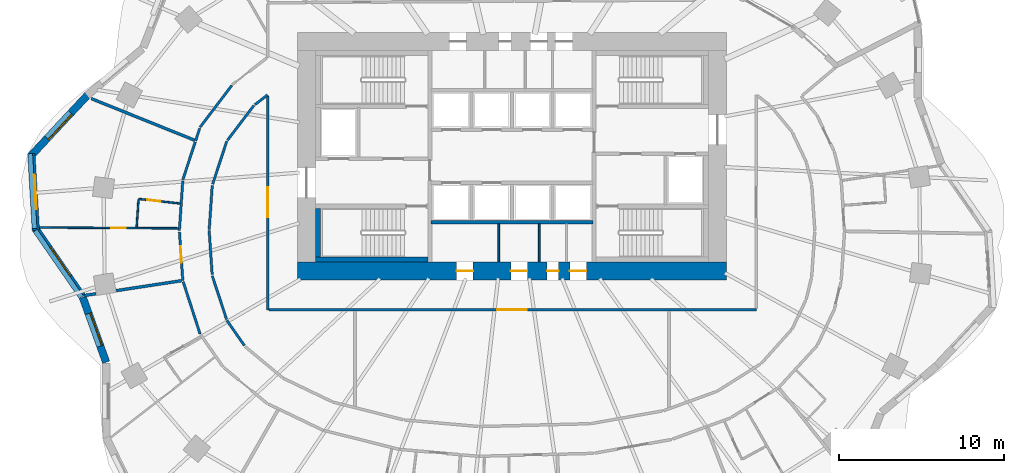
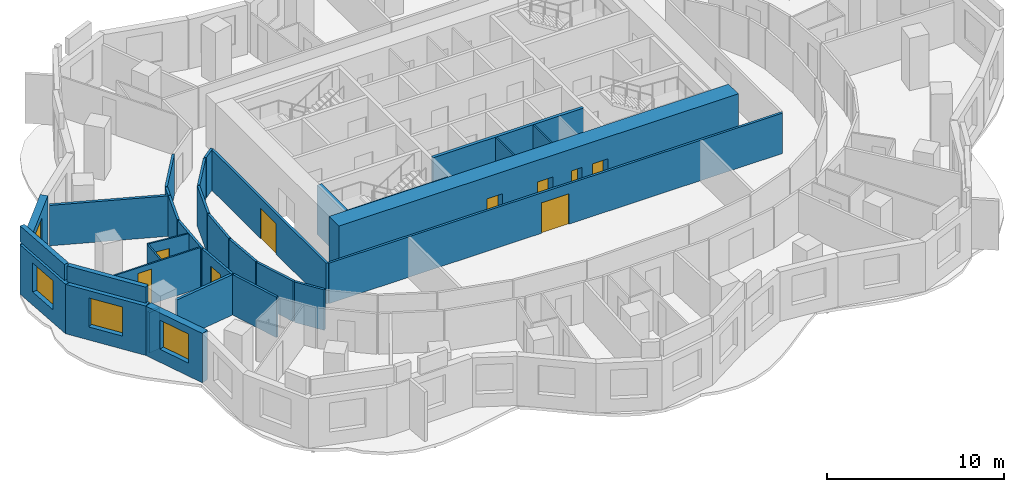
# One storey, part 6 of 14: 33 walls, 9 doors, 4 windows, 13 openings.
"""IFC4 building model written with IfcOpenShell, lengths in metres."""

from ifc_helpers import new_model, si_unit, direction, frame, frame_2d, origin, place, context, subcontext, project, spatial, rectangle, extrude, material, layer, layer_set, type_object, element, fill, save


model = new_model("IFC4")

# Units and contexts
model_context = context("Model", 3, precision=1e-05, world=origin(), true_north=direction((0.0, 1.0)))
body_context = subcontext(model_context, "Body", "Model", "MODEL_VIEW")
ifc_project = project(units=[si_unit("LENGTHUNIT", "METRE"), si_unit("AREAUNIT", "SQUARE_METRE"), si_unit("VOLUMEUNIT", "CUBIC_METRE"), si_unit("PLANEANGLEUNIT", "RADIAN"), si_unit("MASSUNIT", "GRAM", prefix="KILO")], contexts=[model_context])

# Site, building, storey
site_placement = place(None, origin())
site = spatial("IfcSite", under=ifc_project, at=site_placement, CompositionType="ELEMENT")
building_placement = place(site_placement, origin())
building = spatial("IfcBuilding", under=site, at=building_placement, Name="Rubra Terraces Tower", CompositionType="ELEMENT")
storey_placement = place(building_placement, frame((0.0, 0.0, 103.199951171875)))
storey = spatial("IfcBuildingStorey", under=building, at=storey_placement, Name="L24", CompositionType="ELEMENT", Elevation=103.199951171875)

# Walls
ifc_material_1 = material(Name="Twin plasterboard on staggered steel stud, acoustic mineral wool", Category="steel")
ifc_layer_1 = layer(ifc_material_1, 0.175048828125)
ifc_layer_set_1 = layer_set([ifc_layer_1], Name="Twin plasterboard on staggered steel stud, acoustic mineral wool")
wall_type_1 = type_object("IfcWallType", Name="ACOUSTIC PARTY WALL 175", PredefinedType="PARTITIONING", material=ifc_layer_set_1)
wall_1_placement = place(storey_placement, frame((-25.48583984375, 7.994873046875, 0.0), z_axis=(0.0, 0.0, 1.0), x_axis=(0.927461928154, -0.373917600314, 0.0)))
element("IfcWall", 1, at=wall_1_placement, inside=storey, type_object=wall_type_1, Name="PARTITION", PredefinedType="PARTITIONING", context=body_context, shape_type="SweptSolid", body=[
    extrude(rectangle(XDim=6.74267578125, YDim=0.175048828125, at=frame_2d((3.371337890625, 0.0))), origin(), (0.0, 0.0, 1.0), 2.783935546875),
])
wall_2_placement = place(storey_placement, frame((-25.919921875, -3.934814453125, 0.0), z_axis=(0.0, 0.0, 1.0), x_axis=(0.988623188828, 0.150413398709, 0.0)))
element("IfcWall", 2, at=wall_2_placement, inside=storey, type_object=wall_type_1, Name="PARTITION", PredefinedType="PARTITIONING", context=body_context, shape_type="SweptSolid", body=[
    extrude(rectangle(XDim=0.7255859375, YDim=0.175048828125, at=frame_2d((0.36279296875, 0.0))), origin(), (0.0, 0.0, 1.0), 2.783935546875),
])
wall_3_placement = place(storey_placement, frame((-23.976806640625, -3.638916015625, 0.0), z_axis=(0.0, 0.0, 1.0), x_axis=(0.988617655188, 0.150449765203, 0.0)))
element("IfcWall", 3, at=wall_3_placement, inside=storey, type_object=wall_type_1, Name="PARTITION", PredefinedType="PARTITIONING", context=body_context, shape_type="SweptSolid", body=[
    extrude(rectangle(XDim=4.006591796875, YDim=0.175048828125, at=frame_2d((2.00341796875, 0.0))), origin(), (0.0, 0.0, 1.0), 2.783935546875),
])

# Wall, opening, window
ifc_material_2 = material(Name="Brick masonry red-brown", Category="masonry")
ifc_layer_2 = layer(ifc_material_2, 0.449951171875)
ifc_layer_set_2 = layer_set([ifc_layer_2], Name="Brick masonry red-brown")
wall_type_2 = type_object("IfcWallType", Name="Brick facade wall 450", PredefinedType="SOLIDWALL", material=ifc_layer_set_2)
wall_4_placement = place(storey_placement, frame((-25.716796875, 8.20068359375, 0.0), z_axis=(0.0, 0.0, 1.0), x_axis=(-0.681990073025, -0.731361429319, 0.0)))
wall_4 = element("IfcWall", 4, at=wall_4_placement, inside=storey, type_object=wall_type_2, Name="Facade wall L24 bay 19", PredefinedType="SOLIDWALL", context=body_context, shape_type="SweptSolid", body=[
    extrude(rectangle(XDim=5.063720703125, YDim=0.449951171875, at=frame_2d((2.53173828125, 0.0))), origin(), (0.0, 0.0, 1.0), 3.400146484375),
])
opening_1_placement = place(wall_4_placement, frame((1.481689453125, 0.0, 0.89990234375)))
opening_1 = element("IfcOpeningElement", 5, at=opening_1_placement, cuts=wall_4, Name="Opening W1", PredefinedType="OPENING", context=body_context, shape_type="SweptSolid", body=[
    extrude(rectangle(XDim=2.10009765625, YDim=2.0, at=frame_2d((1.050048828125, 1.0))), frame((0.0, 0.23486328125, 0.0), z_axis=(0.0, -1.0, 0.0), x_axis=(1.0, 0.0, 0.0)), (0.0, 0.0, 1.0), 0.469970703125),
])
ifc_material_3 = material(Name="Clear glass in aluminium frame", Category="aluminium")
window_type = type_object("IfcWindowType", Name="Fixed deep-set window 2100 x 2000", PartitioningType="SINGLE_PANEL", PredefinedType="WINDOW", material=ifc_material_3)
window_1_placement = place(opening_1_placement, origin())
window_1 = element("IfcWindow", 6, at=window_1_placement, inside=storey, type_object=window_type, Name="Window L24 bay 19", OverallHeight=2.0, OverallWidth=2.10009765625, PartitioningType="SINGLE_PANEL", PredefinedType="WINDOW", context=body_context, shape_type="SweptSolid", body=[
    extrude(rectangle(XDim=2.10009765625, YDim=2.0, at=frame_2d((1.050048828125, 1.0))), frame((0.0, 0.135009765625, 0.0), z_axis=(0.0, -1.0, 0.0), x_axis=(1.0, 0.0, 0.0)), (0.0, 0.0, 1.0), 0.06005859375),
])
fill(opening_1, window_1)

wall_5_placement = place(storey_placement, frame((-29.11328125, 4.66015625, 0.0), z_axis=(0.0, 0.0, 1.0), x_axis=(0.058217785859, -0.998303906338, 0.0)))
wall_5 = element("IfcWall", 7, at=wall_5_placement, inside=storey, type_object=wall_type_2, Name="Facade wall L24 bay 20", PredefinedType="SOLIDWALL", context=body_context, shape_type="SweptSolid", body=[
    extrude(rectangle(XDim=4.65478515625, YDim=0.449951171875, at=frame_2d((2.327392578125, 0.0))), origin(), (0.0, 0.0, 1.0), 3.400146484375),
])
opening_2_placement = place(wall_5_placement, frame((1.27734375, 0.0, 0.89990234375)))
opening_2 = element("IfcOpeningElement", 8, at=opening_2_placement, cuts=wall_5, Name="Opening W1", PredefinedType="OPENING", context=body_context, shape_type="SweptSolid", body=[
    extrude(rectangle(XDim=2.10009765625, YDim=2.0, at=frame_2d((1.050048828125, 1.0))), frame((0.0, 0.23486328125, 0.0), z_axis=(0.0, -1.0, 0.0), x_axis=(1.0, 0.0, 0.0)), (0.0, 0.0, 1.0), 0.469970703125),
])
window_2_placement = place(opening_2_placement, origin())
window_2 = element("IfcWindow", 9, at=window_2_placement, inside=storey, type_object=window_type, Name="Window L24 bay 20", OverallHeight=2.0, OverallWidth=2.10009765625, PartitioningType="SINGLE_PANEL", PredefinedType="WINDOW", context=body_context, shape_type="SweptSolid", body=[
    extrude(rectangle(XDim=2.10009765625, YDim=2.0, at=frame_2d((1.050048828125, 1.0))), frame((0.0, 0.135009765625, 0.0), z_axis=(0.0, -1.0, 0.0), x_axis=(1.0, 0.0, 0.0)), (0.0, 0.0, 1.0), 0.06005859375),
])
fill(opening_2, window_2)

wall_6_placement = place(storey_placement, frame((-28.87841796875, 0.122802734375, 0.0), z_axis=(0.0, 0.0, 1.0), x_axis=(0.569394732999, -0.8220642542, 0.0)))
wall_6 = element("IfcWall", 10, at=wall_6_placement, inside=storey, type_object=wall_type_2, Name="Facade wall L24 bay 21", PredefinedType="SOLIDWALL", context=body_context, shape_type="SweptSolid", body=[
    extrude(rectangle(XDim=5.015869140625, YDim=0.449951171875, at=frame_2d((2.5078125, 0.0))), origin(), (0.0, 0.0, 1.0), 3.400146484375),
])
opening_3_placement = place(wall_6_placement, frame((1.4580078125, 0.0, 0.89990234375)))
opening_3 = element("IfcOpeningElement", 11, at=opening_3_placement, cuts=wall_6, Name="Opening W1", PredefinedType="OPENING", context=body_context, shape_type="SweptSolid", body=[
    extrude(rectangle(XDim=2.10009765625, YDim=2.0, at=frame_2d((1.050048828125, 1.0))), frame((0.0, 0.23486328125, 0.0), z_axis=(0.0, -1.0, 0.0), x_axis=(1.0, 0.0, 0.0)), (0.0, 0.0, 1.0), 0.469970703125),
])
window_3_placement = place(opening_3_placement, origin())
window_3 = element("IfcWindow", 12, at=window_3_placement, inside=storey, type_object=window_type, Name="Window L24 bay 21", OverallHeight=2.0, OverallWidth=2.10009765625, PartitioningType="SINGLE_PANEL", PredefinedType="WINDOW", context=body_context, shape_type="SweptSolid", body=[
    extrude(rectangle(XDim=2.10009765625, YDim=2.0, at=frame_2d((1.050048828125, 1.0))), frame((0.0, 0.135009765625, 0.0), z_axis=(0.0, -1.0, 0.0), x_axis=(1.0, 0.0, 0.0)), (0.0, 0.0, 1.0), 0.06005859375),
])
fill(opening_3, window_3)

wall_7_placement = place(storey_placement, frame((-25.99951171875, -4.047119140625, 0.0), z_axis=(0.0, 0.0, 1.0), x_axis=(0.338924456066, -0.940813591037, 0.0)))
wall_7 = element("IfcWall", 13, at=wall_7_placement, inside=storey, type_object=wall_type_2, Name="Facade wall L24 bay 22", PredefinedType="SOLIDWALL", context=body_context, shape_type="SweptSolid", body=[
    extrude(rectangle(XDim=4.175048828125, YDim=0.449951171875, at=frame_2d((2.08740234375, 0.0))), origin(), (0.0, 0.0, 1.0), 3.400146484375),
])
opening_4_placement = place(wall_7_placement, frame((1.03759765625, 0.0, 0.89990234375)))
opening_4 = element("IfcOpeningElement", 14, at=opening_4_placement, cuts=wall_7, Name="Opening W1", PredefinedType="OPENING", context=body_context, shape_type="SweptSolid", body=[
    extrude(rectangle(XDim=2.10009765625, YDim=2.0, at=frame_2d((1.050048828125, 1.0))), frame((0.0, 0.23486328125, 0.0), z_axis=(0.0, -1.0, 0.0), x_axis=(1.0, 0.0, 0.0)), (0.0, 0.0, 1.0), 0.469970703125),
])
window_4_placement = place(opening_4_placement, origin())
window_4 = element("IfcWindow", 15, at=window_4_placement, inside=storey, type_object=window_type, Name="Window L24 bay 22", OverallHeight=2.0, OverallWidth=2.10009765625, PartitioningType="SINGLE_PANEL", PredefinedType="WINDOW", context=body_context, shape_type="SweptSolid", body=[
    extrude(rectangle(XDim=2.10009765625, YDim=2.0, at=frame_2d((1.050048828125, 1.0))), frame((0.0, 0.135009765625, 0.0), z_axis=(0.0, -1.0, 0.0), x_axis=(1.0, 0.0, 0.0)), (0.0, 0.0, 1.0), 0.06005859375),
])
fill(opening_4, window_4)

# Walls
ifc_layer_3 = layer(ifc_material_2, 0.300048828125)
ifc_layer_set_3 = layer_set([ifc_layer_3], Name="Brick masonry red-brown")
wall_type_3 = type_object("IfcWallType", Name="Brick parapet 300", PredefinedType="PARAPET", material=ifc_layer_set_3)
wall_8_placement = place(storey_placement, frame((-29.188232421875, 4.65576171875, 3.60009765625), z_axis=(0.0, 0.0, 1.0), x_axis=(0.058230319325, -0.998303175349, 0.0)))
element("IfcWall", 16, at=wall_8_placement, inside=storey, type_object=wall_type_3, Name="Parapet L24 bay 20", PredefinedType="PARAPET", context=body_context, shape_type="SweptSolid", body=[
    extrude(rectangle(XDim=4.540771484375, YDim=0.300048828125, at=frame_2d((2.2705078125, 0.0))), origin(), (0.0, 0.0, 1.0), 1.099853515625),
])
wall_9_placement = place(storey_placement, frame((-28.878662109375, -0.008544921875, 3.60009765625), z_axis=(0.0, 0.0, 1.0), x_axis=(0.569370412902, -0.822081098744, 0.0)))
element("IfcWall", 17, at=wall_9_placement, inside=storey, type_object=wall_type_3, Name="Parapet L24 bay 21", PredefinedType="PARAPET", context=body_context, shape_type="SweptSolid", body=[
    extrude(rectangle(XDim=4.90576171875, YDim=0.300048828125, at=frame_2d((2.452880859375, 0.0))), origin(), (0.0, 0.0, 1.0), 1.099853515625),
])

# Wall, openings, doors
ifc_material_4 = material(Name="Concrete C60", Category="concrete")
ifc_layer_4 = layer(ifc_material_4, 1.10009765625)
ifc_layer_set_4 = layer_set([ifc_layer_4], Name="Concrete C60")
wall_type_4 = type_object("IfcWallType", Name="CORE WALL 1100 C60", PredefinedType="SHEAR", material=ifc_layer_set_4)
wall_10_placement = place(storey_placement, frame((-13.0, -2.449951171875, 0.0), z_axis=(0.0, 0.0, 1.0), x_axis=(1.0, 0.0, 0.0)))
wall_10 = element("IfcWall", 18, at=wall_10_placement, inside=storey, type_object=wall_type_4, Name="CORE WALL S L24", PredefinedType="SHEAR", context=body_context, shape_type="SweptSolid", body=[
    extrude(rectangle(XDim=26.0, YDim=1.10009765625, at=frame_2d((13.0, 0.0))), origin(), (0.0, 0.0, 1.0), 3.60009765625),
])
opening_5_placement = place(wall_10_placement, frame((9.64990234375, 0.0, 0.0)))
opening_5 = element("IfcOpeningElement", 19, at=opening_5_placement, cuts=wall_10, Name="Opening L24.C19", PredefinedType="OPENING", context=body_context, shape_type="SweptSolid", body=[
    extrude(rectangle(XDim=1.0, YDim=2.10009765625, at=frame_2d((0.5, 1.050048828125))), frame((0.0, 0.56005859375, 0.0), z_axis=(0.0, -1.0, 0.0), x_axis=(1.0, 0.0, 0.0)), (0.0, 0.0, 1.0), 1.1201171875),
])
opening_6_placement = place(wall_10_placement, frame((12.925048828125, 0.0, 0.0)))
opening_6 = element("IfcOpeningElement", 20, at=opening_6_placement, cuts=wall_10, Name="Opening L24.C20", PredefinedType="OPENING", context=body_context, shape_type="SweptSolid", body=[
    extrude(rectangle(XDim=1.0, YDim=2.10009765625, at=frame_2d((0.5, 1.050048828125))), frame((0.0, 0.56005859375, 0.0), z_axis=(0.0, -1.0, 0.0), x_axis=(1.0, 0.0, 0.0)), (0.0, 0.0, 1.0), 1.1201171875),
])
opening_7_placement = place(wall_10_placement, frame((15.125, 0.0, 0.0)))
opening_7 = element("IfcOpeningElement", 21, at=opening_7_placement, cuts=wall_10, Name="Opening L24.C21", PredefinedType="OPENING", context=body_context, shape_type="SweptSolid", body=[
    extrude(rectangle(XDim=0.699951171875, YDim=2.10009765625, at=frame_2d((0.35009765625, 1.050048828125))), frame((0.0, 0.56005859375, 0.0), z_axis=(0.0, -1.0, 0.0), x_axis=(1.0, 0.0, 0.0)), (0.0, 0.0, 1.0), 1.1201171875),
])
opening_8_placement = place(wall_10_placement, frame((16.5, 0.0, 0.0)))
opening_8 = element("IfcOpeningElement", 22, at=opening_8_placement, cuts=wall_10, Name="Opening L24.C22", PredefinedType="OPENING", context=body_context, shape_type="SweptSolid", body=[
    extrude(rectangle(XDim=1.0, YDim=2.10009765625, at=frame_2d((0.5, 1.050048828125))), frame((0.0, 0.56005859375, 0.0), z_axis=(0.0, -1.0, 0.0), x_axis=(1.0, 0.0, 0.0)), (0.0, 0.0, 1.0), 1.1201171875),
])
ifc_material_5 = material(Name="Painted steel", Category="steel")
door_type_1 = type_object("IfcDoorType", Name="Fire door 1000x2100 single", OperationType="NOTDEFINED", PredefinedType="DOOR", material=ifc_material_5)
door_1_placement = place(opening_5_placement, origin())
door_1 = element("IfcDoor", 23, at=door_1_placement, inside=storey, type_object=door_type_1, Name="Linen store door", OperationType="SINGLE_SWING_LEFT", OverallHeight=2.10009765625, OverallWidth=1.0, PredefinedType="DOOR", context=body_context, shape_type="SweptSolid", body=[
    extrude(rectangle(XDim=1.0, YDim=2.10009765625, at=frame_2d((0.5, 1.050048828125))), frame((0.0, 0.02490234375, 0.0), z_axis=(0.0, -1.0, 0.0), x_axis=(1.0, 0.0, 0.0)), (0.0, 0.0, 1.0), 0.050048828125),
])
fill(opening_5, door_1)
door_2_placement = place(opening_6_placement, origin())
door_2 = element("IfcDoor", 24, at=door_2_placement, inside=storey, type_object=door_type_1, Name="Guest pantry door", OperationType="SINGLE_SWING_RIGHT", OverallHeight=2.10009765625, OverallWidth=1.0, PredefinedType="DOOR", context=body_context, shape_type="SweptSolid", body=[
    extrude(rectangle(XDim=1.0, YDim=2.10009765625, at=frame_2d((0.5, 1.050048828125))), frame((0.0, 0.02490234375, 0.0), z_axis=(0.0, -1.0, 0.0), x_axis=(1.0, 0.0, 0.0)), (0.0, 0.0, 1.0), 0.050048828125),
])
fill(opening_6, door_2)
door_3_placement = place(opening_8_placement, origin())
door_3 = element("IfcDoor", 25, at=door_3_placement, inside=storey, type_object=door_type_1, Name="Refuse room door", OperationType="SINGLE_SWING_RIGHT", OverallHeight=2.10009765625, OverallWidth=1.0, PredefinedType="DOOR", context=body_context, shape_type="SweptSolid", body=[
    extrude(rectangle(XDim=1.0, YDim=2.10009765625, at=frame_2d((0.5, 1.050048828125))), frame((0.0, 0.02490234375, 0.0), z_axis=(0.0, -1.0, 0.0), x_axis=(1.0, 0.0, 0.0)), (0.0, 0.0, 1.0), 0.050048828125),
])
fill(opening_8, door_3)
door_type_2 = type_object("IfcDoorType", Name="Riser access door 700x2100 single", OperationType="NOTDEFINED", PredefinedType="DOOR", material=ifc_material_5)
door_4_placement = place(opening_7_placement, origin())
door_4 = element("IfcDoor", 26, at=door_4_placement, inside=storey, type_object=door_type_2, Name="Telecoms room door", OperationType="SINGLE_SWING_LEFT", OverallHeight=2.10009765625, OverallWidth=0.699951171875, PredefinedType="DOOR", context=body_context, shape_type="SweptSolid", body=[
    extrude(rectangle(XDim=0.699951171875, YDim=2.10009765625, at=frame_2d((0.35009765625, 1.050048828125))), frame((0.0, 0.02490234375, 0.0), z_axis=(0.0, -1.0, 0.0), x_axis=(1.0, 0.0, 0.0)), (0.0, 0.0, 1.0), 0.050048828125),
])
fill(opening_7, door_4)

# Walls
ifc_material_6 = material(Name="Plasterboard on steel stud, mineral wool infill", Category="steel")
ifc_layer_5 = layer(ifc_material_6, 0.14990234375)
ifc_layer_set_5 = layer_set([ifc_layer_5], Name="Plasterboard on steel stud, mineral wool infill")
wall_type_5 = type_object("IfcWallType", Name="CORRIDOR PARTITION 150", PredefinedType="PARTITIONING", material=ifc_layer_set_5)
wall_11_placement = place(storey_placement, frame((-16.966796875, 8.799560546875, 0.0), z_axis=(0.0, 0.0, 1.0), x_axis=(-0.604991921991, -0.796231608469, 0.0)))
element("IfcWall", 27, at=wall_11_placement, inside=storey, type_object=wall_type_5, Name="PARTITION", PredefinedType="PARTITIONING", context=body_context, shape_type="SweptSolid", body=[
    extrude(rectangle(XDim=3.18505859375, YDim=0.14990234375, at=frame_2d((1.592529296875, 0.0))), origin(), (0.0, 0.0, 1.0), 2.783935546875),
])
wall_12_placement = place(storey_placement, frame((-18.917236328125, 6.192138671875, 0.0), z_axis=(0.0, 0.0, 1.0), x_axis=(-0.312217378101, -0.950010688788, 0.0)))
element("IfcWall", 28, at=wall_12_placement, inside=storey, type_object=wall_type_5, Name="PARTITION", PredefinedType="PARTITIONING", context=body_context, shape_type="SweptSolid", body=[
    extrude(rectangle(XDim=0.785888671875, YDim=0.14990234375, at=frame_2d((0.39306640625, 0.0))), origin(), (0.0, 0.0, 1.0), 2.783935546875),
])
wall_13_placement = place(storey_placement, frame((-19.185791015625, 5.374267578125, 0.0), z_axis=(0.0, 0.0, 1.0), x_axis=(-0.312120623237, -0.950042481445, 0.0)))
element("IfcWall", 29, at=wall_13_placement, inside=storey, type_object=wall_type_5, Name="PARTITION", PredefinedType="PARTITIONING", context=body_context, shape_type="SweptSolid", body=[
    extrude(rectangle(XDim=2.4091796875, YDim=0.14990234375, at=frame_2d((1.20458984375, 0.0))), origin(), (0.0, 0.0, 1.0), 2.783935546875),
])
wall_14_placement = place(storey_placement, frame((-19.94287109375, 3.0107421875, 0.0), z_axis=(0.0, 0.0, 1.0), x_axis=(-0.068280105787, -0.997666190243, 0.0)))
element("IfcWall", 30, at=wall_14_placement, inside=storey, type_object=wall_type_5, Name="PARTITION", PredefinedType="PARTITIONING", context=body_context, shape_type="SweptSolid", body=[
    extrude(rectangle(XDim=3.017822265625, YDim=0.14990234375, at=frame_2d((1.5087890625, 0.0))), origin(), (0.0, 0.0, 1.0), 2.783935546875),
])

# Wall, opening, door
wall_15_placement = place(storey_placement, frame((-20.143798828125, -0.07470703125, 0.0), z_axis=(0.0, 0.0, 1.0), x_axis=(0.068277893458, -0.997666341652, 0.0)))
wall_15 = element("IfcWall", 31, at=wall_15_placement, inside=storey, type_object=wall_type_5, Name="PARTITION", PredefinedType="PARTITIONING", context=body_context, shape_type="SweptSolid", body=[
    extrude(rectangle(XDim=2.95703125, YDim=0.14990234375, at=frame_2d((1.478515625, 0.0))), origin(), (0.0, 0.0, 1.0), 2.783935546875),
])
opening_9_placement = place(wall_15_placement, frame((0.873046875, 0.0, 0.0)))
opening_9 = element("IfcOpeningElement", 32, at=opening_9_placement, cuts=wall_15, Name="Opening 24-106", PredefinedType="OPENING", context=body_context, shape_type="SweptSolid", body=[
    extrude(rectangle(XDim=1.0, YDim=2.10009765625, at=frame_2d((0.5, 1.050048828125))), frame((0.0, 0.0849609375, 0.0), z_axis=(0.0, -1.0, 0.0), x_axis=(1.0, 0.0, 0.0)), (0.0, 0.0, 1.0), 0.169921875),
])
ifc_material_7 = material(Name="Painted timber door leaf", Category="wood")
door_type_3 = type_object("IfcDoorType", Name="ROOM DOOR 1000 X 2100", OperationType="SINGLE_SWING_LEFT", PredefinedType="DOOR", material=ifc_material_7)
door_5_placement = place(opening_9_placement, origin())
door_5 = element("IfcDoor", 33, at=door_5_placement, inside=storey, type_object=door_type_3, Name="DOOR 24-106", OperationType="SINGLE_SWING_RIGHT", OverallHeight=2.10009765625, OverallWidth=1.0, PredefinedType="DOOR", context=body_context, shape_type="SweptSolid", body=[
    extrude(rectangle(XDim=1.0, YDim=2.10009765625, at=frame_2d((0.5, 1.050048828125))), frame((0.0, 0.02490234375, 0.0), z_axis=(0.0, -1.0, 0.0), x_axis=(1.0, 0.0, 0.0)), (0.0, 0.0, 1.0), 0.050048828125),
])
fill(opening_9, door_5)

# Walls
wall_16_placement = place(storey_placement, frame((-19.918701171875, -3.09619140625, 0.0), z_axis=(0.0, 0.0, 1.0), x_axis=(0.307876911498, -0.95142619649, 0.0)))
element("IfcWall", 34, at=wall_16_placement, inside=storey, type_object=wall_type_5, Name="PARTITION", PredefinedType="PARTITIONING", context=body_context, shape_type="SweptSolid", body=[
    extrude(rectangle(XDim=3.328857421875, YDim=0.14990234375, at=frame_2d((1.66455078125, 0.0))), origin(), (0.0, 0.0, 1.0), 2.783935546875),
])
wall_17_placement = place(storey_placement, frame((-16.20947265625, -6.9658203125, 0.0), z_axis=(0.0, 0.0, 1.0), x_axis=(-0.572051367607, 0.820217795966, 0.0)))
element("IfcWall", 35, at=wall_17_placement, inside=storey, type_object=wall_type_5, Name="PARTITION", PredefinedType="PARTITIONING", context=body_context, shape_type="SweptSolid", body=[
    extrude(rectangle(XDim=1.84765625, YDim=0.14990234375, at=frame_2d((0.923828125, 0.0))), origin(), (0.0, 0.0, 1.0), 2.783935546875),
])
wall_18_placement = place(storey_placement, frame((-17.289794921875, -5.379150390625, 0.0), z_axis=(0.0, 0.0, 1.0), x_axis=(-0.312009486843, 0.950078986253, 0.0)))
element("IfcWall", 36, at=wall_18_placement, inside=storey, type_object=wall_type_5, Name="PARTITION", PredefinedType="PARTITIONING", context=body_context, shape_type="SweptSolid", body=[
    extrude(rectangle(XDim=2.780029296875, YDim=0.14990234375, at=frame_2d((1.39013671875, 0.0))), origin(), (0.0, 0.0, 1.0), 2.783935546875),
])
for number, where, z_axis, x_axis, name in (
    (37, (-18.162353515625, -2.6630859375, 0.0), (0.0, 0.0, 1.0), (-0.068321828968, 0.997663333839, 0.0), "PARTITION"),
    (38, (-18.339599609375, 0.07470703125, 0.0), (0.0, 0.0, 1.0), (0.068321828968, 0.997663333839, 0.0), "PARTITION"),
):
    element("IfcWall", number, at=place(storey_placement, frame(where, z_axis=z_axis, x_axis=x_axis)), inside=storey, type_object=wall_type_5, Name=name, PredefinedType="PARTITIONING", context=body_context, shape_type="SweptSolid", body=[
        extrude(rectangle(XDim=2.66943359375, YDim=0.14990234375, at=frame_2d((1.334716796875, 0.0))), origin(), (0.0, 0.0, 1.0), 2.783935546875),
    ])
wall_19_placement = place(storey_placement, frame((-18.1337890625, 2.80908203125, 0.0), z_axis=(0.0, 0.0, 1.0), x_axis=(0.312005223814, 0.950080386237, 0.0)))
element("IfcWall", 39, at=wall_19_placement, inside=storey, type_object=wall_type_5, Name="PARTITION", PredefinedType="PARTITIONING", context=body_context, shape_type="SweptSolid", body=[
    extrude(rectangle(XDim=2.74267578125, YDim=0.14990234375, at=frame_2d((1.371337890625, 0.0))), origin(), (0.0, 0.0, 1.0), 2.783935546875),
])
wall_20_placement = place(storey_placement, frame((-17.232666015625, 5.474609375, 0.0), z_axis=(0.0, 0.0, 1.0), x_axis=(0.605024750549, 0.796206663639, 0.0)))
element("IfcWall", 40, at=wall_20_placement, inside=storey, type_object=wall_type_5, Name="PARTITION", PredefinedType="PARTITIONING", context=body_context, shape_type="SweptSolid", body=[
    extrude(rectangle(XDim=2.644775390625, YDim=0.14990234375, at=frame_2d((1.322265625, 0.0))), origin(), (0.0, 0.0, 1.0), 2.783935546875),
])
wall_21_placement = place(storey_placement, frame((-15.572998046875, 7.626220703125, 0.0), z_axis=(0.0, 0.0, 1.0), x_axis=(0.791581834002, 0.611063171921, 0.0)))
element("IfcWall", 41, at=wall_21_placement, inside=storey, type_object=wall_type_5, Name="PARTITION", PredefinedType="PARTITIONING", context=body_context, shape_type="SweptSolid", body=[
    extrude(rectangle(XDim=0.9765625, YDim=0.14990234375, at=frame_2d((0.48828125, 0.0))), origin(), (0.0, 0.0, 1.0), 2.783935546875),
])

# Wall, opening, door
wall_22_placement = place(storey_placement, frame((-14.800048828125, 8.14794921875, 0.0), z_axis=(0.0, 0.0, 1.0), x_axis=(0.0, -1.0, 0.0)))
wall_22 = element("IfcWall", 42, at=wall_22_placement, inside=storey, type_object=wall_type_5, Name="PARTITION", PredefinedType="PARTITIONING", context=body_context, shape_type="SweptSolid", body=[
    extrude(rectangle(XDim=12.947998046875, YDim=0.14990234375, at=frame_2d((6.47412109375, 0.0))), origin(), (0.0, 0.0, 1.0), 2.783935546875),
])
opening_10_placement = place(wall_22_placement, frame((5.535888671875, 0.0, 0.0)))
opening_10 = element("IfcOpeningElement", 43, at=opening_10_placement, cuts=wall_22, Name="Opening 24-130", PredefinedType="OPENING", context=body_context, shape_type="SweptSolid", body=[
    extrude(rectangle(XDim=1.800048828125, YDim=2.10009765625, at=frame_2d((0.89990234375, 1.050048828125))), frame((0.0, 0.0849609375, 0.0), z_axis=(0.0, -1.0, 0.0), x_axis=(1.0, 0.0, 0.0)), (0.0, 0.0, 1.0), 0.169921875),
])
ifc_material_8 = material(Name="Painted timber door leaf, double", Category="wood")
door_type_4 = type_object("IfcDoorType", Name="ROOM DOUBLE DOOR 1800 X 2100", OperationType="DOUBLE_DOOR_SINGLE_SWING", PredefinedType="DOOR", material=ifc_material_8)
door_6_placement = place(opening_10_placement, origin())
door_6 = element("IfcDoor", 44, at=door_6_placement, inside=storey, type_object=door_type_4, Name="DOOR 24-130", OperationType="DOUBLE_DOOR_SINGLE_SWING", OverallHeight=2.10009765625, OverallWidth=1.800048828125, PredefinedType="DOOR", context=body_context, shape_type="SweptSolid", body=[
    extrude(rectangle(XDim=1.800048828125, YDim=2.10009765625, at=frame_2d((0.89990234375, 1.050048828125))), frame((0.0, 0.02490234375, 0.0), z_axis=(0.0, -1.0, 0.0), x_axis=(1.0, 0.0, 0.0)), (0.0, 0.0, 1.0), 0.050048828125),
])
fill(opening_10, door_6)

wall_23_placement = place(storey_placement, frame((-14.72509765625, -4.800048828125, 0.0), z_axis=(0.0, 0.0, 1.0), x_axis=(1.0, 0.0, 0.0)))
wall_23 = element("IfcWall", 45, at=wall_23_placement, inside=storey, type_object=wall_type_5, Name="PARTITION", PredefinedType="PARTITIONING", context=body_context, shape_type="SweptSolid", body=[
    extrude(rectangle(XDim=29.525146484375, YDim=0.14990234375, at=frame_2d((14.7626953125, 0.0))), origin(), (0.0, 0.0, 1.0), 2.783935546875),
])
opening_11_placement = place(wall_23_placement, frame((13.824951171875, 0.0, 0.0)))
opening_11 = element("IfcOpeningElement", 46, at=opening_11_placement, cuts=wall_23, Name="Opening 24-131", PredefinedType="OPENING", context=body_context, shape_type="SweptSolid", body=[
    extrude(rectangle(XDim=1.800048828125, YDim=2.10009765625, at=frame_2d((0.89990234375, 1.050048828125))), frame((0.0, 0.0849609375, 0.0), z_axis=(0.0, -1.0, 0.0), x_axis=(1.0, 0.0, 0.0)), (0.0, 0.0, 1.0), 0.169921875),
])
door_7_placement = place(opening_11_placement, origin())
door_7 = element("IfcDoor", 47, at=door_7_placement, inside=storey, type_object=door_type_4, Name="DOOR 24-131", OperationType="DOUBLE_DOOR_SINGLE_SWING", OverallHeight=2.10009765625, OverallWidth=1.800048828125, PredefinedType="DOOR", context=body_context, shape_type="SweptSolid", body=[
    extrude(rectangle(XDim=1.800048828125, YDim=2.10009765625, at=frame_2d((0.89990234375, 1.050048828125))), frame((0.0, 0.02490234375, 0.0), z_axis=(0.0, -1.0, 0.0), x_axis=(1.0, 0.0, 0.0)), (0.0, 0.0, 1.0), 0.050048828125),
])
fill(opening_11, door_7)

# Walls
ifc_material_9 = material(Name="Concrete C40", Category="concrete")
ifc_layer_6 = layer(ifc_material_9, 0.300048828125)
ifc_layer_set_6 = layer_set([ifc_layer_6], Name="Concrete C40")
wall_type_6 = type_object("IfcWallType", Name="Core lining wall 300 concrete", PredefinedType="SOLIDWALL", material=ifc_layer_set_6)
wall_24_placement = place(storey_placement, frame((-11.89990234375, -1.75, 0.0), z_axis=(0.0, 0.0, 1.0), x_axis=(1.0, 0.0, 0.0)))
element("IfcWall", 48, at=wall_24_placement, inside=storey, type_object=wall_type_6, Name="CORE LINING WALL L24", PredefinedType="SOLIDWALL", context=body_context, shape_type="SweptSolid", body=[
    extrude(rectangle(XDim=6.7998046875, YDim=0.300048828125, at=frame_2d((3.39990234375, 0.0))), origin(), (0.0, 0.0, 1.0), 3.400146484375),
])
wall_25_placement = place(storey_placement, frame((-11.75, -1.60009765625, 0.0), z_axis=(0.0, 0.0, 1.0), x_axis=(0.0, 1.0, 0.0)))
element("IfcWall", 49, at=wall_25_placement, inside=storey, type_object=wall_type_6, Name="CORE LINING WALL L24", PredefinedType="SOLIDWALL", context=body_context, shape_type="SweptSolid", body=[
    extrude(rectangle(XDim=2.9501953125, YDim=0.300048828125, at=frame_2d((1.47509765625, 0.0))), origin(), (0.0, 0.0, 1.0), 3.400146484375),
])
ifc_material_10 = material(Name="Concrete C30", Category="concrete")
ifc_layer_7 = layer(ifc_material_10, 0.199951171875)
ifc_layer_set_7 = layer_set([ifc_layer_7], Name="Concrete C30")
wall_type_7 = type_object("IfcWallType", Name="Core wall 200 concrete", PredefinedType="SOLIDWALL", material=ifc_layer_set_7)
wall_26_placement = place(storey_placement, frame((-4.89990234375, 0.5, 0.0), z_axis=(0.0, 0.0, 1.0), x_axis=(1.0, 0.0, 0.0)))
element("IfcWall", 50, at=wall_26_placement, inside=storey, type_object=wall_type_7, Name="LIFT SHAFT WALL L24", PredefinedType="SOLIDWALL", context=body_context, shape_type="SweptSolid", body=[
    extrude(rectangle(XDim=9.7998046875, YDim=0.199951171875, at=frame_2d((4.89990234375, 0.0))), origin(), (0.0, 0.0, 1.0), 3.400146484375),
])

# Wall, opening, door
ifc_material_11 = material(Name="Plasterboard on steel stud", Category="steel")
ifc_layer_8 = layer(ifc_material_11, 0.10009765625)
ifc_layer_set_8 = layer_set([ifc_layer_8], Name="Plasterboard on steel stud")
wall_type_8 = type_object("IfcWallType", Name="ROOM PARTITION 100", PredefinedType="PARTITIONING", material=ifc_layer_set_8)
wall_27_placement = place(storey_placement, frame((-28.623046875, 0.185791015625, 0.0), z_axis=(0.0, 0.0, 1.0), x_axis=(0.99998228608, -0.005952102687, 0.0)))
wall_27 = element("IfcWall", 51, at=wall_27_placement, inside=storey, type_object=wall_type_8, Name="PARTITION", PredefinedType="PARTITIONING", context=body_context, shape_type="SweptSolid", body=[
    extrude(rectangle(XDim=8.40869140625, YDim=0.10009765625, at=frame_2d((4.204345703125, 0.0))), origin(), (0.0, 0.0, 1.0), 2.783935546875),
])
opening_12_placement = place(wall_27_placement, frame((4.333984375, 0.0, 0.0)))
opening_12 = element("IfcOpeningElement", 52, at=opening_12_placement, cuts=wall_27, Name="Opening 24-105", PredefinedType="OPENING", context=body_context, shape_type="SweptSolid", body=[
    extrude(rectangle(XDim=0.89990234375, YDim=2.39990234375, at=frame_2d((0.449951171875, 1.199951171875))), frame((0.0, 0.06005859375, 0.0), z_axis=(0.0, -1.0, 0.0), x_axis=(1.0, 0.0, 0.0)), (0.0, 0.0, 1.0), 0.1201171875),
])
ifc_material_12 = material(Name="Veneered timber door leaf, fire-rated", Category="wood")
door_type_5 = type_object("IfcDoorType", Name="SUITE ENTRANCE DOOR 900 X 2400", OperationType="SINGLE_SWING_LEFT", PredefinedType="DOOR", material=ifc_material_12)
door_8_placement = place(opening_12_placement, origin())
door_8 = element("IfcDoor", 53, at=door_8_placement, inside=storey, type_object=door_type_5, Name="DOOR 24-105", OperationType="SINGLE_SWING_LEFT", OverallHeight=2.39990234375, OverallWidth=0.89990234375, PredefinedType="DOOR", context=body_context, shape_type="SweptSolid", body=[
    extrude(rectangle(XDim=0.89990234375, YDim=2.39990234375, at=frame_2d((0.449951171875, 1.199951171875))), frame((0.0, 0.02490234375, 0.0), z_axis=(0.0, -1.0, 0.0), x_axis=(1.0, 0.0, 0.0)), (0.0, 0.0, 1.0), 0.050048828125),
])
fill(opening_12, door_8)

wall_28_placement = place(storey_placement, frame((-20.11181640625, 1.64013671875, 0.0), z_axis=(0.0, 0.0, 1.0), x_axis=(-0.994054696252, 0.108881866535, 0.0)))
wall_28 = element("IfcWall", 54, at=wall_28_placement, inside=storey, type_object=wall_type_8, Name="PARTITION", PredefinedType="PARTITIONING", context=body_context, shape_type="SweptSolid", body=[
    extrude(rectangle(XDim=2.524658203125, YDim=0.10009765625, at=frame_2d((1.26220703125, 0.0))), origin(), (0.0, 0.0, 1.0), 2.783935546875),
])
opening_13_placement = place(wall_28_placement, frame((1.199951171875, 0.0, 0.0)))
opening_13 = element("IfcOpeningElement", 55, at=opening_13_placement, cuts=wall_28, Name="Opening 24-104", PredefinedType="OPENING", context=body_context, shape_type="SweptSolid", body=[
    extrude(rectangle(XDim=0.800048828125, YDim=2.10009765625, at=frame_2d((0.39990234375, 1.050048828125))), frame((0.0, 0.06005859375, 0.0), z_axis=(0.0, -1.0, 0.0), x_axis=(1.0, 0.0, 0.0)), (0.0, 0.0, 1.0), 0.1201171875),
])
door_type_6 = type_object("IfcDoorType", Name="BATHROOM DOOR 800 X 2100", OperationType="SINGLE_SWING_LEFT", PredefinedType="DOOR", material=ifc_material_7)
door_9_placement = place(opening_13_placement, origin())
door_9 = element("IfcDoor", 56, at=door_9_placement, inside=storey, type_object=door_type_6, Name="DOOR 24-104", OperationType="SINGLE_SWING_LEFT", OverallHeight=2.10009765625, OverallWidth=0.800048828125, PredefinedType="DOOR", context=body_context, shape_type="SweptSolid", body=[
    extrude(rectangle(XDim=0.800048828125, YDim=2.10009765625, at=frame_2d((0.39990234375, 1.050048828125))), frame((0.0, 0.02490234375, 0.0), z_axis=(0.0, -1.0, 0.0), x_axis=(1.0, 0.0, 0.0)), (0.0, 0.0, 1.0), 0.050048828125),
])
fill(opening_13, door_9)

# Walls
wall_29_placement = place(storey_placement, frame((-22.625, 1.865234375, 0.0), z_axis=(0.0, 0.0, 1.0), x_axis=(-0.066732696604, -0.997770889134, 0.0)))
element("IfcWall", 57, at=wall_29_placement, inside=storey, type_object=wall_type_8, Name="PARTITION", PredefinedType="PARTITIONING", context=body_context, shape_type="SweptSolid", body=[
    extrude(rectangle(XDim=1.668212890625, YDim=0.10009765625, at=frame_2d((0.833984375, 0.0))), origin(), (0.0, 0.0, 1.0), 2.783935546875),
])
ifc_material_13 = material(Name="Blockwork", Category="masonry")
ifc_layer_9 = layer(ifc_material_13, 0.10009765625)
ifc_layer_set_9 = layer_set([ifc_layer_9], Name="Blockwork")
wall_type_9 = type_object("IfcWallType", Name="Service partition 100 blockwork", PredefinedType="PARTITIONING", material=ifc_layer_set_9)
for number, where, z_axis, x_axis, name in (
    (58, (-0.800048828125, -1.89990234375, 0.0), (0.0, 0.0, 1.0), (0.0, 1.0, 0.0), "SERVICE ROOM PARTITION L24"),
    (59, (1.64990234375, -1.89990234375, 0.0), (0.0, 0.0, 1.0), (0.0, 1.0, 0.0), "SERVICE ROOM PARTITION L24"),
):
    element("IfcWall", number, at=place(storey_placement, frame(where, z_axis=z_axis, x_axis=x_axis)), inside=storey, type_object=wall_type_9, Name=name, PredefinedType="PARTITIONING", context=body_context, shape_type="SweptSolid", body=[
        extrude(rectangle(XDim=2.2998046875, YDim=0.10009765625, at=frame_2d((1.14990234375, 0.0))), origin(), (0.0, 0.0, 1.0), 3.400146484375),
    ])

save(model, "model.ifc")
